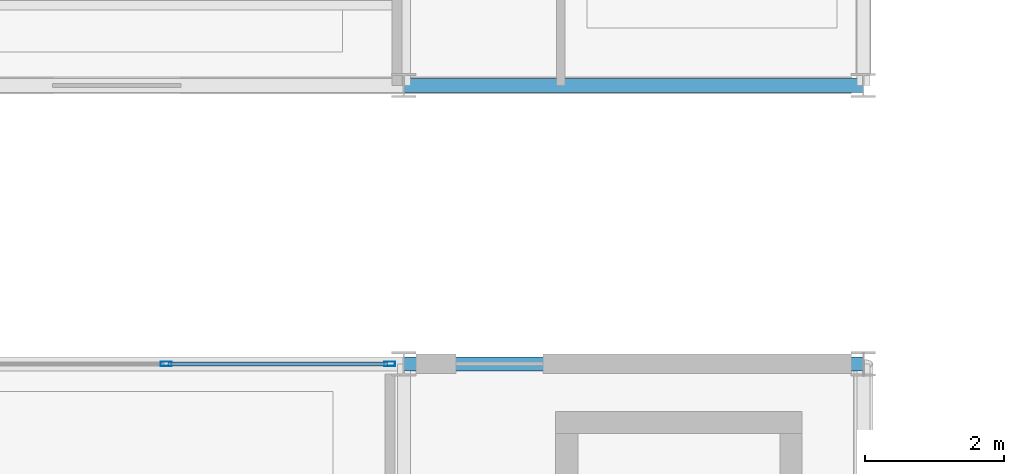
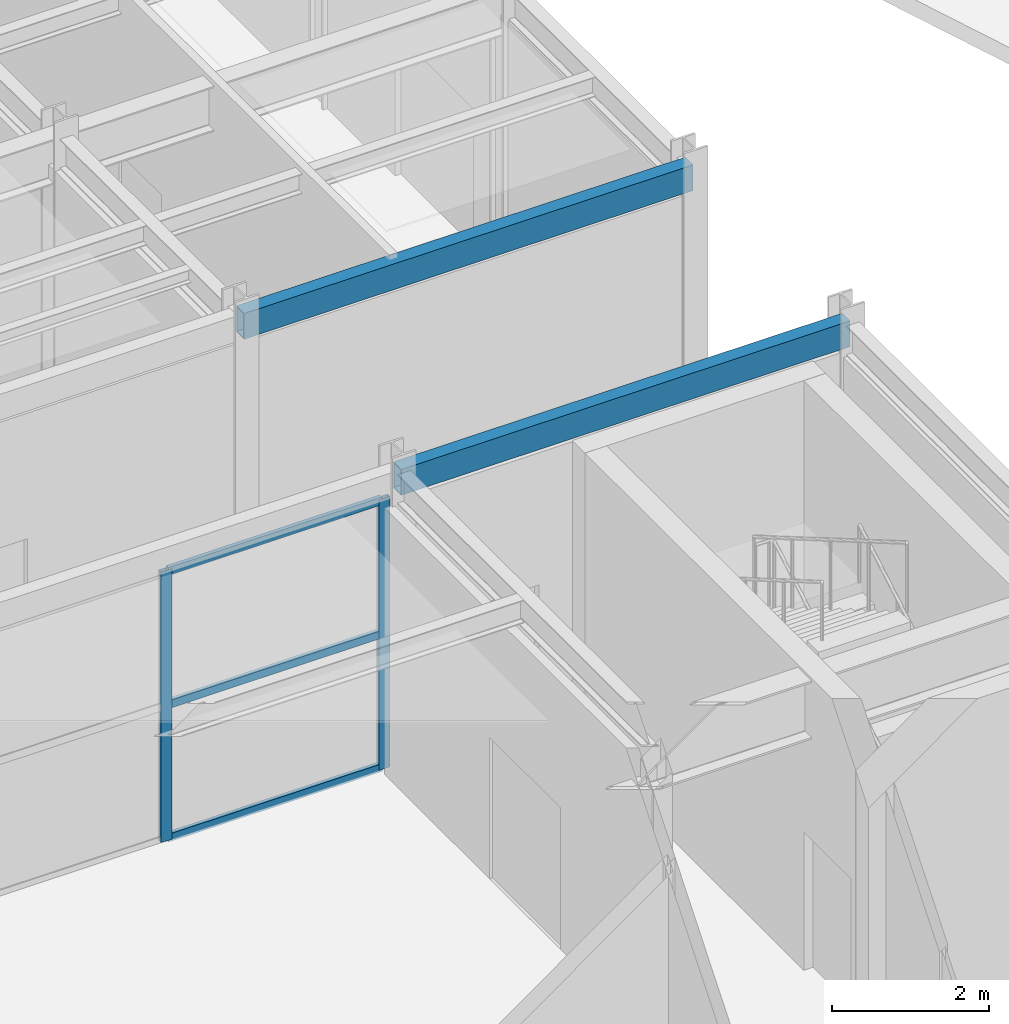
# One storey, part 23 of 144: 5 members, 2 beams, 1 element without a shape of its own.
"""IFC4 building model written with IfcOpenShell, lengths in metres."""

from ifc_helpers import new_model, si_unit, direction, frame, origin, origin_2d, place, context, subcontext, project, spatial, hollow_rectangle, extrude, material, material_profile, profile_set, type_object, element, aggregate, save


model = new_model("IFC4")

# Units and contexts
model_context = context("Model", 3, precision=1e-05, world=origin(), true_north=direction((0.0, 1.0)))
body_context = subcontext(model_context, "Body", "Model", "MODEL_VIEW")
ifc_project = project(units=[si_unit("LENGTHUNIT", "METRE"), si_unit("AREAUNIT", "SQUARE_METRE"), si_unit("VOLUMEUNIT", "CUBIC_METRE"), si_unit("PLANEANGLEUNIT", "RADIAN"), si_unit("MASSUNIT", "GRAM", prefix="KILO")], contexts=[model_context])

# Site, building, storey
site_placement = place(None, origin())
site = spatial("IfcSite", under=ifc_project, at=site_placement, CompositionType="ELEMENT")
building_placement = place(site_placement, origin())
building = spatial("IfcBuilding", under=site, at=building_placement, Name="Karori Crest Natural Sciences Institute", CompositionType="ELEMENT")
storey_placement = place(building_placement, origin())
storey = spatial("IfcBuildingStorey", under=building, at=storey_placement, Name="L00", CompositionType="ELEMENT", Elevation=0.0)

# Beams
ifc_material_1 = material(Name="Hollow structural steel AS/NZS 1163 Grade C350", Category="steel")
ifc_material_profile_1 = material_profile(ifc_material_1, hollow_rectangle(XDim=0.199951171875, YDim=0.39990234375, WallThickness=0.012451171875, at=origin_2d()), Name="RHS400x200x12.5")
ifc_profile_set_1 = profile_set([ifc_material_profile_1], Name="Hollow structural steel AS/NZS 1163 Grade C350")
beam_type = type_object("IfcBeamType", Name="BT-14", PredefinedType="SPANDREL", material=ifc_profile_set_1)
for number, where, z_axis, x_axis, name in (
    (1, (20.60009765625, 27.199951171875, 4.419921875), (1.0, 0.0, 0.0), (0.0, 1.0, 0.0), "Beam B-0793"),
    (2, (20.60009765625, 31.199951171875, 4.419921875), (1.0, 0.0, 0.0), (0.0, 1.0, 0.0), "Beam B-0942"),
):
    element("IfcBeam", number, at=place(storey_placement, frame(where, z_axis=z_axis, x_axis=x_axis)), inside=storey, type_object=beam_type, Name=name, PredefinedType="SPANDREL", context=body_context, shape_type="SweptSolid", body=[
        extrude(hollow_rectangle(XDim=0.199951171875, YDim=0.39990234375, WallThickness=0.012451171875, at=origin_2d()), origin(), (0.0, 0.0, 1.0), 6.599853515625),
    ])

# Curtain wall, members
ifc_material_2 = material(Name="Anodised architectural aluminium 6063-T6", Category="aluminium")
curtain_wall_type = type_object("IfcCurtainWallType", Name="CWT-16", PredefinedType="NOTDEFINED", material=ifc_material_2)
curtain_wall_placement = place(storey_placement, origin())
curtain_wall = element("IfcCurtainWall", 3, at=curtain_wall_placement, inside=storey, type_object=curtain_wall_type, Name="Curtain wall CW-0251", PredefinedType="NOTDEFINED")
ifc_material_profile_2 = material_profile(ifc_material_2, hollow_rectangle(XDim=0.06494140625, YDim=0.159912109375, WallThickness=0.00390625, at=origin_2d()), Name="CWM160x65x4")
ifc_profile_set_2 = profile_set([ifc_material_profile_2], Name="Anodised architectural aluminium 6063-T6")
member_type_1 = type_object("IfcMemberType", Name="CWM-01", PredefinedType="MULLION", material=ifc_profile_set_2)
member_1_placement = place(storey_placement, frame((17.1845703125, 27.199951171875, 0.0), z_axis=(0.0, 0.0, 1.0), x_axis=(0.0, 1.0, 0.0)))
member_1 = element("IfcMember", 4, at=member_1_placement, type_object=member_type_1, Name="CW-0251 mullion 6", PredefinedType="MULLION", context=body_context, shape_type="SweptSolid", body=[
    extrude(hollow_rectangle(XDim=0.06494140625, YDim=0.159912109375, WallThickness=0.00390625, at=origin_2d()), origin(), (0.0, 0.0, 1.0), 4.205078125),
])
member_2_placement = place(storey_placement, frame((20.39453125, 27.199951171875, 0.0), z_axis=(0.0, 0.0, 1.0), x_axis=(0.0, 1.0, 0.0)))
member_2 = element("IfcMember", 5, at=member_2_placement, type_object=member_type_1, Name="CW-0251 mullion 7", PredefinedType="MULLION", context=body_context, shape_type="SweptSolid", body=[
    extrude(hollow_rectangle(XDim=0.06494140625, YDim=0.159912109375, WallThickness=0.00390625, at=origin_2d()), origin(), (0.0, 0.0, 1.0), 4.205078125),
])
ifc_material_profile_3 = material_profile(ifc_material_2, hollow_rectangle(XDim=0.06005859375, YDim=0.1201171875, WallThickness=0.00390625, at=origin_2d()), Name="CWT120x60x4")
ifc_profile_set_3 = profile_set([ifc_material_profile_3], Name="Anodised architectural aluminium 6063-T6")
member_type_2 = type_object("IfcMemberType", Name="CWT-TR1", PredefinedType="USERDEFINED", material=ifc_profile_set_3)
member_3_placement = place(storey_placement, frame((17.21728515625, 27.199951171875, 0.030029296875), z_axis=(1.0, 0.0, 0.0), x_axis=(0.0, 1.0, 0.0)))
member_3 = element("IfcMember", 6, at=member_3_placement, type_object=member_type_2, Name="CW-0251 transom 6.1", ObjectType="TRANSOM", PredefinedType="USERDEFINED", context=body_context, shape_type="SweptSolid", body=[
    extrude(hollow_rectangle(XDim=0.06005859375, YDim=0.1201171875, WallThickness=0.00390625, at=origin_2d()), origin(), (0.0, 0.0, 1.0), 3.144775390625),
])
member_4_placement = place(storey_placement, frame((17.21728515625, 27.199951171875, 2.1025390625), z_axis=(1.0, 0.0, 0.0), x_axis=(0.0, 1.0, 0.0)))
member_4 = element("IfcMember", 7, at=member_4_placement, type_object=member_type_2, Name="CW-0251 transom 6.2", ObjectType="TRANSOM", PredefinedType="USERDEFINED", context=body_context, shape_type="SweptSolid", body=[
    extrude(hollow_rectangle(XDim=0.06005859375, YDim=0.1201171875, WallThickness=0.00390625, at=origin_2d()), origin(), (0.0, 0.0, 1.0), 3.144775390625),
])
member_5_placement = place(storey_placement, frame((17.21728515625, 27.199951171875, 4.175048828125), z_axis=(1.0, 0.0, 0.0), x_axis=(0.0, 1.0, 0.0)))
member_5 = element("IfcMember", 8, at=member_5_placement, type_object=member_type_2, Name="CW-0251 transom 6.3", ObjectType="TRANSOM", PredefinedType="USERDEFINED", context=body_context, shape_type="SweptSolid", body=[
    extrude(hollow_rectangle(XDim=0.06005859375, YDim=0.1201171875, WallThickness=0.00390625, at=origin_2d()), origin(), (0.0, 0.0, 1.0), 3.144775390625),
])
aggregate(curtain_wall, [member_1, member_2, member_3, member_4, member_5])

save(model, "model.ifc")
